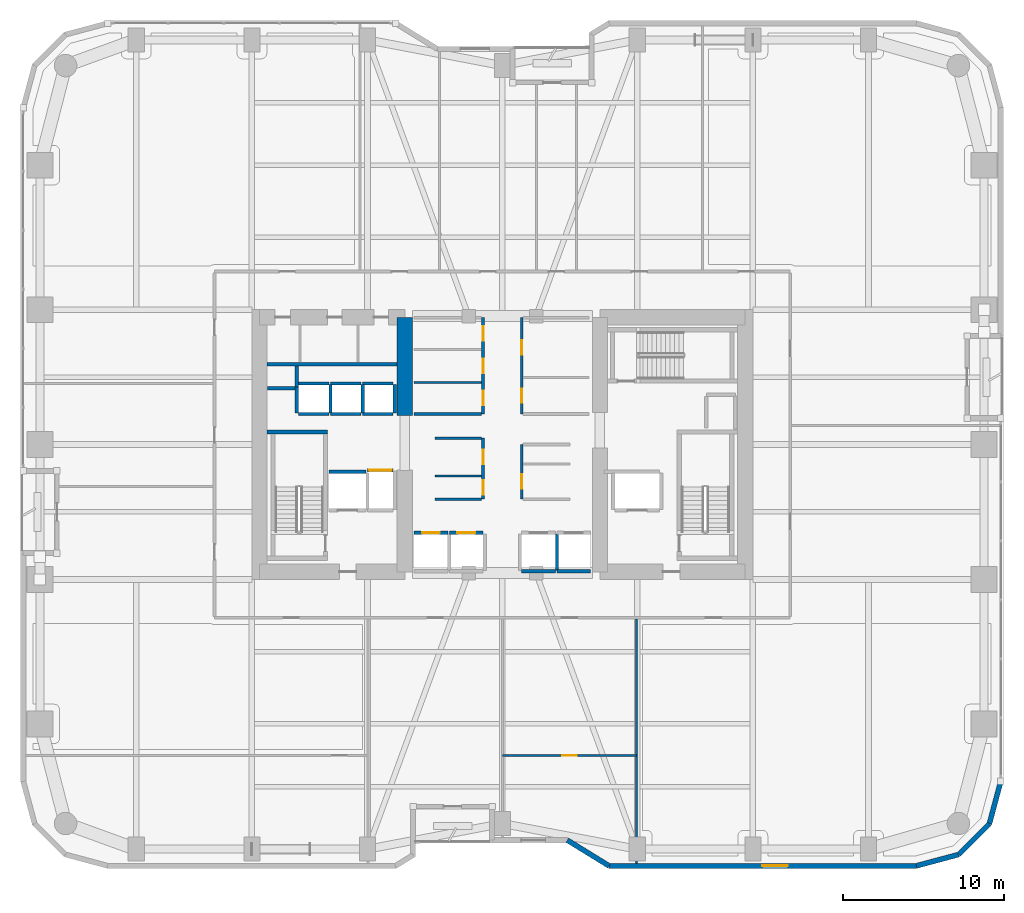
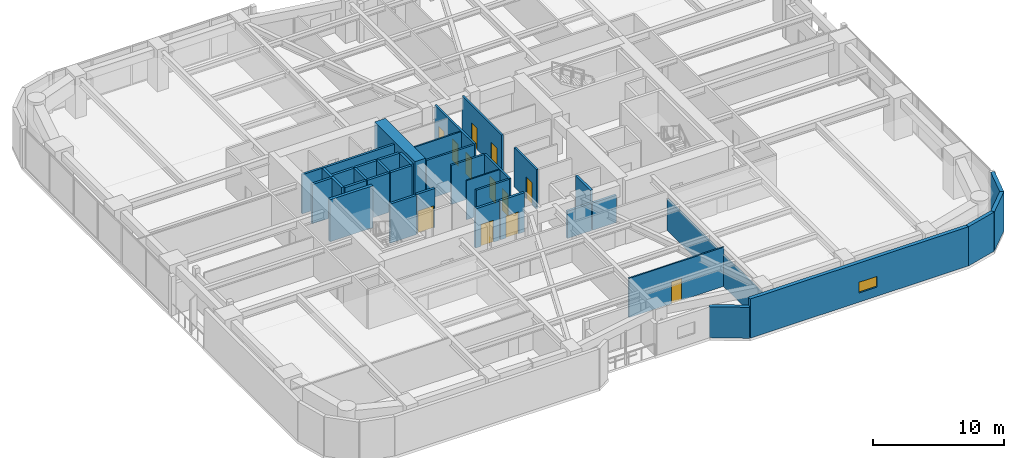
# One storey, part 23 of 28: 38 walls, 12 doors, 1 window, 13 openings.
"""IFC4 building model written with IfcOpenShell, lengths in metres."""

from ifc_helpers import new_model, si_unit, direction, frame, frame_2d, origin, place, context, subcontext, project, spatial, rectangle, extrude, material, layer, layer_set, type_object, element, fill, save


model = new_model("IFC4")

# Units and contexts
model_context = context("Model", 3, precision=1e-05, world=origin(), true_north=direction((0.0, 1.0)))
body_context = subcontext(model_context, "Body", "Model", "MODEL_VIEW")
ifc_project = project(units=[si_unit("LENGTHUNIT", "METRE"), si_unit("AREAUNIT", "SQUARE_METRE"), si_unit("VOLUMEUNIT", "CUBIC_METRE"), si_unit("PLANEANGLEUNIT", "RADIAN"), si_unit("MASSUNIT", "GRAM", prefix="KILO")], contexts=[model_context])

# Site, building, storey
site_placement = place(None, origin())
site = spatial("IfcSite", under=ifc_project, at=site_placement, CompositionType="ELEMENT")
building_placement = place(site_placement, origin())
building = spatial("IfcBuilding", under=site, at=building_placement, Name="Kiyonajd Concourse Tower", CompositionType="ELEMENT")
storey_placement = place(building_placement, frame((0.0, 0.0, 41.10009765625)))
storey = spatial("IfcBuildingStorey", under=building, at=storey_placement, Name="L11", CompositionType="ELEMENT", Elevation=41.10009765625)

# Walls
ifc_material_1 = material(Name="Concrete C80/95", Category="concrete")
ifc_layer_1 = layer(ifc_material_1, 0.949951171875)
ifc_layer_set_1 = layer_set([ifc_layer_1], Name="Concrete C80/95")
wall_type_1 = type_object("IfcWallType", Name="WL-CORE-950", PredefinedType="SHEAR", material=ifc_layer_set_1)
wall_1_placement = place(storey_placement, frame((41.925048828125, 37.800048828125, 0.0), z_axis=(0.0, 0.0, 1.0), x_axis=(0.0, 1.0, 0.0)))
element("IfcWall", 1, at=wall_1_placement, inside=storey, type_object=wall_type_1, Name="L11 West Core Inner North Shear Wall", PredefinedType="SHEAR", context=body_context, shape_type="SweptSolid", body=[
    extrude(rectangle(XDim=6.125, YDim=0.949951171875, at=frame_2d((3.0625, 0.0))), origin(), (0.0, 0.0, 1.0), 3.89990234375),
])
ifc_material_2 = material(Name="Precast concrete C50/60", Category="concrete")
ifc_layer_2 = layer(ifc_material_2, 0.320068359375)
ifc_layer_set_2 = layer_set([ifc_layer_2], Name="Precast concrete C50/60")
wall_type_2 = type_object("IfcWallType", Name="WL-EXT-320", PredefinedType="SOLIDWALL", material=ifc_layer_set_2)
wall_2_placement = place(storey_placement, frame((79.0400390625, 15.02099609375, 0.0), z_axis=(0.0, 0.0, 1.0), x_axis=(-0.25869736047, -0.965958423373, 0.0)))
element("IfcWall", 2, at=wall_2_placement, inside=storey, type_object=wall_type_2, Name="L11 Exterior Concrete Frame Wall 25", PredefinedType="SOLIDWALL", context=body_context, shape_type="SweptSolid", body=[
    extrude(rectangle(XDim=2.731201171875, YDim=0.320068359375, at=frame_2d((1.36572265625, 0.0))), origin(), (0.0, 0.0, 1.0), 3.639892578125),
])
wall_3_placement = place(storey_placement, frame((78.33349609375, 12.3828125, 0.0), z_axis=(0.0, 0.0, 1.0), x_axis=(-0.707106781187, -0.707106781187, 0.0)))
element("IfcWall", 3, at=wall_3_placement, inside=storey, type_object=wall_type_2, Name="L11 Exterior Concrete Frame Wall 26", PredefinedType="SOLIDWALL", context=body_context, shape_type="SweptSolid", body=[
    extrude(rectangle(XDim=2.7099609375, YDim=0.320068359375, at=frame_2d((1.35498046875, 0.0))), origin(), (0.0, 0.0, 1.0), 3.639892578125),
])
wall_4_placement = place(storey_placement, frame((76.417236328125, 10.466552734375, 0.0), z_axis=(0.0, 0.0, 1.0), x_axis=(-0.965964405026, -0.25867502435, 0.0)))
element("IfcWall", 4, at=wall_4_placement, inside=storey, type_object=wall_type_2, Name="L11 Exterior Concrete Frame Wall 27", PredefinedType="SOLIDWALL", context=body_context, shape_type="SweptSolid", body=[
    extrude(rectangle(XDim=2.7314453125, YDim=0.320068359375, at=frame_2d((1.36572265625, 0.0))), origin(), (0.0, 0.0, 1.0), 3.639892578125),
])

# Wall, opening, window
wall_5_placement = place(storey_placement, frame((73.77880859375, 9.760009765625, 0.0), z_axis=(0.0, 0.0, 1.0), x_axis=(-1.0, 0.0, 0.0)))
wall_5 = element("IfcWall", 5, at=wall_5_placement, inside=storey, type_object=wall_type_2, Name="L11 Exterior Concrete Frame Wall 28", PredefinedType="SOLIDWALL", context=body_context, shape_type="SweptSolid", body=[
    extrude(rectangle(XDim=19.133544921875, YDim=0.320068359375, at=frame_2d((9.56689453125, 0.0))), origin(), (0.0, 0.0, 1.0), 3.639892578125),
])
opening_1_placement = place(wall_5_placement, frame((8.00390625, 0.0, 0.85009765625)))
opening_1 = element("IfcOpeningElement", 6, at=opening_1_placement, cuts=wall_5, Name="Opening WN6", PredefinedType="OPENING", context=body_context, shape_type="SweptSolid", body=[
    extrude(rectangle(XDim=1.60009765625, YDim=1.0, at=frame_2d((0.800048828125, 0.5))), frame((0.0, 0.169921875, 0.0), z_axis=(0.0, -1.0, 0.0), x_axis=(1.0, 0.0, 0.0)), (0.0, 0.0, 1.0), 0.340087890625),
])
ifc_material_3 = material(Name="Double Low-E Insulated Glass", Category="glass")
window_type = type_object("IfcWindowType", Name="WN-VIS-1600x1000", PartitioningType="SINGLE_PANEL", PredefinedType="WINDOW", material=ifc_material_3)
window_placement = place(opening_1_placement, origin())
window = element("IfcWindow", 7, at=window_placement, inside=storey, type_object=window_type, Name="L11 Modular Facade Vision Window 28", OverallHeight=1.0, OverallWidth=1.60009765625, PartitioningType="SINGLE_PANEL", PredefinedType="WINDOW", context=body_context, shape_type="SweptSolid", body=[
    extrude(rectangle(XDim=1.60009765625, YDim=1.0, at=frame_2d((0.800048828125, 0.5))), frame((0.0, 0.030029296875, 0.0), z_axis=(0.0, -1.0, 0.0), x_axis=(1.0, 0.0, 0.0)), (0.0, 0.0, 1.0), 0.06005859375),
])
fill(opening_1, window)

# Walls
wall_6_placement = place(storey_placement, frame((54.645263671875, 9.760009765625, 0.0), z_axis=(0.0, 0.0, 1.0), x_axis=(-0.851630857047, 0.524142044989, 0.0)))
element("IfcWall", 8, at=wall_6_placement, inside=storey, type_object=wall_type_2, Name="L11 Exterior Concrete Frame Wall 29", PredefinedType="SOLIDWALL", context=body_context, shape_type="SweptSolid", body=[
    extrude(rectangle(XDim=3.052734375, YDim=0.320068359375, at=frame_2d((1.5263671875, 0.0))), origin(), (0.0, 0.0, 1.0), 2.875),
])
ifc_material_4 = material(Name="Gypsum Board on Cold-Formed Steel Stud", Category="steel")
ifc_layer_3 = layer(ifc_material_4, 0.125)
ifc_layer_set_3 = layer_set([ifc_layer_3], Name="Gypsum Board on Cold-Formed Steel Stud")
wall_type_3 = type_object("IfcWallType", Name="WL-PART-125", PredefinedType="PARTITIONING", material=ifc_layer_set_3)
wall_7_placement = place(storey_placement, frame((43.800048828125, 34.0439453125, 0.0), z_axis=(0.0, 0.0, 1.0), x_axis=(1.0, 0.0, 0.0)))
element("IfcWall", 9, at=wall_7_placement, inside=storey, type_object=wall_type_3, Name="L11 Interior Partition Wall", PredefinedType="PARTITIONING", context=body_context, shape_type="SweptSolid", body=[
    extrude(rectangle(XDim=2.912841796875, YDim=0.125, at=frame_2d((1.45654296875, 0.0))), origin(), (0.0, 0.0, 1.0), 3.639892578125),
])
wall_8_placement = place(storey_placement, frame((42.5, 39.8798828125, 0.0), z_axis=(0.0, 0.0, 1.0), x_axis=(1.0, 0.0, 0.0)))
element("IfcWall", 10, at=wall_8_placement, inside=storey, type_object=wall_type_3, Name="L11 Interior Partition Wall", PredefinedType="PARTITIONING", context=body_context, shape_type="SweptSolid", body=[
    extrude(rectangle(XDim=4.212890625, YDim=0.125, at=frame_2d((2.1064453125, 0.0))), origin(), (0.0, 0.0, 1.0), 3.639892578125),
])

# Wall, opening, door
wall_9_placement = place(storey_placement, frame((48.0, 16.6298828125, 0.0), z_axis=(0.0, 0.0, 1.0), x_axis=(1.0, 0.0, 0.0)))
wall_9 = element("IfcWall", 11, at=wall_9_placement, inside=storey, type_object=wall_type_3, Name="L11 Interior Partition Wall", PredefinedType="PARTITIONING", context=body_context, shape_type="SweptSolid", body=[
    extrude(rectangle(XDim=8.360107421875, YDim=0.125, at=frame_2d((4.18017578125, 0.0))), origin(), (0.0, 0.0, 1.0), 3.639892578125),
])
opening_2_placement = place(wall_9_placement, frame((3.72998046875, 0.0, 0.0)))
opening_2 = element("IfcOpeningElement", 12, at=opening_2_placement, cuts=wall_9, Name="Opening DI2", PredefinedType="OPENING", context=body_context, shape_type="SweptSolid", body=[
    extrude(rectangle(XDim=0.89990234375, YDim=2.02001953125, at=frame_2d((0.449951171875, 1.010009765625))), frame((0.0, 0.072509765625, 0.0), z_axis=(0.0, -1.0, 0.0), x_axis=(1.0, 0.0, 0.0)), (0.0, 0.0, 1.0), 0.14501953125),
])
ifc_material_5 = material(Name="Natural Oak Acoustic Timber Veneer", Category="wood")
door_type_1 = type_object("IfcDoorType", Name="DR-INT-900", OperationType="NOTDEFINED", PredefinedType="DOOR", material=ifc_material_5)
door_1_placement = place(opening_2_placement, origin())
door_1 = element("IfcDoor", 13, at=door_1_placement, inside=storey, type_object=door_type_1, Name="L11 Interior Door", OperationType="SINGLE_SWING_RIGHT", OverallHeight=2.02001953125, OverallWidth=0.89990234375, PredefinedType="DOOR", context=body_context, shape_type="SweptSolid", body=[
    extrude(rectangle(XDim=0.89990234375, YDim=2.02001953125, at=frame_2d((0.449951171875, 1.010009765625))), frame((0.0, 0.02490234375, 0.0), z_axis=(0.0, -1.0, 0.0), x_axis=(1.0, 0.0, 0.0)), (0.0, 0.0, 1.0), 0.050048828125),
])
fill(opening_2, door_1)

# Walls
wall_10_placement = place(storey_placement, frame((56.360107421875, 9.9150390625, 0.0), z_axis=(0.0, 0.0, 1.0), x_axis=(0.0, 1.0, 0.0)))
element("IfcWall", 14, at=wall_10_placement, inside=storey, type_object=wall_type_3, Name="L11 Interior Partition Wall", PredefinedType="PARTITIONING", context=body_context, shape_type="SweptSolid", body=[
    extrude(rectangle(XDim=15.218017578125, YDim=0.125, at=frame_2d((7.60888671875, 0.0))), origin(), (0.0, 0.0, 1.0), 2.929931640625),
])
ifc_layer_4 = layer(ifc_material_4, 0.18994140625)
ifc_layer_set_4 = layer_set([ifc_layer_4], Name="Gypsum Board on Cold-Formed Steel Stud")
wall_type_4 = type_object("IfcWallType", Name="WL-PLMB-190", PredefinedType="PLUMBINGWALL", material=ifc_layer_set_4)
wall_11_placement = place(storey_placement, frame((33.35009765625, 41.0, 0.0), z_axis=(0.0, 0.0, 1.0), x_axis=(1.0, 0.0, 0.0)))
element("IfcWall", 15, at=wall_11_placement, inside=storey, type_object=wall_type_4, Name="L11 Interior Partition Wall", PredefinedType="PLUMBINGWALL", context=body_context, shape_type="SweptSolid", body=[
    extrude(rectangle(XDim=8.099853515625, YDim=0.18994140625, at=frame_2d((4.0498046875, 0.0))), origin(), (0.0, 0.0, 1.0), 3.639892578125),
])
ifc_layer_5 = layer(ifc_material_4, 0.2099609375)
ifc_layer_set_5 = layer_set([ifc_layer_5], Name="Gypsum Board on Cold-Formed Steel Stud")
wall_type_5 = type_object("IfcWallType", Name="WL-SHAFT-210", PredefinedType="PARTITIONING", material=ifc_layer_set_5)
wall_12_placement = place(storey_placement, frame((33.360107421875, 39.5, 0.0), z_axis=(0.0, 0.0, 1.0), x_axis=(1.0, 0.0, 0.0)))
element("IfcWall", 16, at=wall_12_placement, inside=storey, type_object=wall_type_5, Name="L11 Shaft Enclosure Wall", PredefinedType="PARTITIONING", context=body_context, shape_type="SweptSolid", body=[
    extrude(rectangle(XDim=1.85986328125, YDim=0.2099609375, at=frame_2d((0.929931640625, 0.0))), origin(), (0.0, 0.0, 1.0), 3.639892578125),
])
wall_13_placement = place(storey_placement, frame((35.199951171875, 39.580078125, 0.0), z_axis=(0.0, 0.0, 1.0), x_axis=(0.0, 1.0, 0.0)))
element("IfcWall", 17, at=wall_13_placement, inside=storey, type_object=wall_type_5, Name="L11 Shaft Enclosure Wall", PredefinedType="PARTITIONING", context=body_context, shape_type="SweptSolid", body=[
    extrude(rectangle(XDim=1.31982421875, YDim=0.2099609375, at=frame_2d((0.659912109375, 0.0))), origin(), (0.0, 0.0, 1.0), 3.639892578125),
])
wall_14_placement = place(storey_placement, frame((37.199951171875, 34.300048828125, 0.0), z_axis=(0.0, 0.0, 1.0), x_axis=(1.0, 0.0, 0.0)))
element("IfcWall", 18, at=wall_14_placement, inside=storey, type_object=wall_type_5, Name="L11 Shaft Enclosure Wall", PredefinedType="PARTITIONING", context=body_context, shape_type="SweptSolid", body=[
    extrude(rectangle(XDim=2.300048828125, YDim=0.2099609375, at=frame_2d((1.14990234375, 0.0))), origin(), (0.0, 0.0, 1.0), 3.639892578125),
])

# Wall, opening, door
wall_15_placement = place(storey_placement, frame((39.60009765625, 34.39990234375, 0.0), z_axis=(0.0, 0.0, 1.0), x_axis=(1.0, 0.0, 0.0)))
wall_15 = element("IfcWall", 19, at=wall_15_placement, inside=storey, type_object=wall_type_5, Name="L11 Shaft Enclosure Wall", PredefinedType="PARTITIONING", context=body_context, shape_type="SweptSolid", body=[
    extrude(rectangle(XDim=1.599853515625, YDim=0.2099609375, at=frame_2d((0.7998046875, 0.0))), origin(), (0.0, 0.0, 1.0), 3.639892578125),
])
opening_3_placement = place(wall_15_placement, frame((0.10009765625, 0.0, 0.0)))
opening_3 = element("IfcOpeningElement", 20, at=opening_3_placement, cuts=wall_15, Name="Opening LD3", PredefinedType="OPENING", context=body_context, shape_type="SweptSolid", body=[
    extrude(rectangle(XDim=1.39990234375, YDim=2.06005859375, at=frame_2d((0.699951171875, 1.030029296875))), frame((0.0, 0.114990234375, 0.0), z_axis=(0.0, -1.0, 0.0), x_axis=(1.0, 0.0, 0.0)), (0.0, 0.0, 1.0), 0.22998046875),
])
ifc_material_6 = material(Name="Brushed Stainless Steel Cab Assembly", Category="steel")
door_type_2 = type_object("IfcDoorType", Name="DR-LD-1400", OperationType="DOUBLE_DOOR_SLIDING", PredefinedType="DOOR", material=ifc_material_6)
door_2_placement = place(opening_3_placement, origin())
door_2 = element("IfcDoor", 21, at=door_2_placement, inside=storey, type_object=door_type_2, Name="L11 Lift SVL1 Sliding Landing Door", OperationType="DOUBLE_DOOR_SLIDING", OverallHeight=2.06005859375, OverallWidth=1.39990234375, PredefinedType="DOOR", context=body_context, shape_type="SweptSolid", body=[
    extrude(rectangle(XDim=1.39990234375, YDim=2.06005859375, at=frame_2d((0.699951171875, 1.030029296875))), frame((0.0, 0.02490234375, 0.0), z_axis=(0.0, -1.0, 0.0), x_axis=(1.0, 0.0, 0.0)), (0.0, 0.0, 1.0), 0.050048828125),
])
fill(opening_3, door_2)

wall_16_placement = place(storey_placement, frame((42.5, 30.5, 0.0), z_axis=(0.0, 0.0, 1.0), x_axis=(1.0, 0.0, 0.0)))
wall_16 = element("IfcWall", 22, at=wall_16_placement, inside=storey, type_object=wall_type_5, Name="L11 Shaft Enclosure Wall", PredefinedType="PARTITIONING", context=body_context, shape_type="SweptSolid", body=[
    extrude(rectangle(XDim=2.10009765625, YDim=0.2099609375, at=frame_2d((1.050048828125, 0.0))), origin(), (0.0, 0.0, 1.0), 3.639892578125),
])
opening_4_placement = place(wall_16_placement, frame((0.5, 0.0, 0.0)))
opening_4 = element("IfcOpeningElement", 23, at=opening_4_placement, cuts=wall_16, Name="Opening LD1", PredefinedType="OPENING", context=body_context, shape_type="SweptSolid", body=[
    extrude(rectangle(XDim=1.10009765625, YDim=2.0400390625, at=frame_2d((0.550048828125, 1.02001953125))), frame((0.0, 0.114990234375, 0.0), z_axis=(0.0, -1.0, 0.0), x_axis=(1.0, 0.0, 0.0)), (0.0, 0.0, 1.0), 0.22998046875),
])
door_type_3 = type_object("IfcDoorType", Name="DR-LD-1100", OperationType="DOUBLE_DOOR_SLIDING", PredefinedType="DOOR", material=ifc_material_6)
door_3_placement = place(opening_4_placement, origin())
door_3 = element("IfcDoor", 24, at=door_3_placement, inside=storey, type_object=door_type_3, Name="L11 Lift PL-L1 Sliding Landing Door", OperationType="DOUBLE_DOOR_SLIDING", OverallHeight=2.0400390625, OverallWidth=1.10009765625, PredefinedType="DOOR", context=body_context, shape_type="SweptSolid", body=[
    extrude(rectangle(XDim=1.10009765625, YDim=2.0400390625, at=frame_2d((0.550048828125, 1.02001953125))), frame((0.0, 0.02490234375, 0.0), z_axis=(0.0, -1.0, 0.0), x_axis=(1.0, 0.0, 0.0)), (0.0, 0.0, 1.0), 0.050048828125),
])
fill(opening_4, door_3)

wall_17_placement = place(storey_placement, frame((44.699951171875, 30.5, 0.0), z_axis=(0.0, 0.0, 1.0), x_axis=(1.0, 0.0, 0.0)))
wall_17 = element("IfcWall", 25, at=wall_17_placement, inside=storey, type_object=wall_type_5, Name="L11 Shaft Enclosure Wall", PredefinedType="PARTITIONING", context=body_context, shape_type="SweptSolid", body=[
    extrude(rectangle(XDim=2.10009765625, YDim=0.2099609375, at=frame_2d((1.050048828125, 0.0))), origin(), (0.0, 0.0, 1.0), 3.639892578125),
])
opening_5_placement = place(wall_17_placement, frame((0.5, 0.0, 0.0)))
opening_5 = element("IfcOpeningElement", 26, at=opening_5_placement, cuts=wall_17, Name="Opening LD1", PredefinedType="OPENING", context=body_context, shape_type="SweptSolid", body=[
    extrude(rectangle(XDim=1.10009765625, YDim=2.0400390625, at=frame_2d((0.550048828125, 1.02001953125))), frame((0.0, 0.114990234375, 0.0), z_axis=(0.0, -1.0, 0.0), x_axis=(1.0, 0.0, 0.0)), (0.0, 0.0, 1.0), 0.22998046875),
])
door_4_placement = place(opening_5_placement, origin())
door_4 = element("IfcDoor", 27, at=door_4_placement, inside=storey, type_object=door_type_3, Name="L11 Lift PL-L2 Sliding Landing Door", OperationType="DOUBLE_DOOR_SLIDING", OverallHeight=2.0400390625, OverallWidth=1.10009765625, PredefinedType="DOOR", context=body_context, shape_type="SweptSolid", body=[
    extrude(rectangle(XDim=1.10009765625, YDim=2.0400390625, at=frame_2d((0.550048828125, 1.02001953125))), frame((0.0, 0.02490234375, 0.0), z_axis=(0.0, -1.0, 0.0), x_axis=(1.0, 0.0, 0.0)), (0.0, 0.0, 1.0), 0.050048828125),
])
fill(opening_5, door_4)

# Walls
wall_18_placement = place(storey_placement, frame((49.199951171875, 28.10009765625, 0.0), z_axis=(0.0, 0.0, 1.0), x_axis=(1.0, 0.0, 0.0)))
element("IfcWall", 28, at=wall_18_placement, inside=storey, type_object=wall_type_5, Name="L11 Shaft Enclosure Wall", PredefinedType="PARTITIONING", context=body_context, shape_type="SweptSolid", body=[
    extrude(rectangle(XDim=2.10009765625, YDim=0.2099609375, at=frame_2d((1.050048828125, 0.0))), origin(), (0.0, 0.0, 1.0), 2.52490234375),
])
wall_19_placement = place(storey_placement, frame((51.39990234375, 28.159912109375, 0.0), z_axis=(0.0, 0.0, 1.0), x_axis=(0.0, 1.0, 0.0)))
element("IfcWall", 29, at=wall_19_placement, inside=storey, type_object=wall_type_5, Name="L11 Shaft Enclosure Wall", PredefinedType="PARTITIONING", context=body_context, shape_type="SweptSolid", body=[
    extrude(rectangle(XDim=2.280029296875, YDim=0.2099609375, at=frame_2d((1.14013671875, 0.0))), origin(), (0.0, 0.0, 1.0), 3.639892578125),
])
wall_20_placement = place(storey_placement, frame((51.39990234375, 28.10009765625, 0.0), z_axis=(0.0, 0.0, 1.0), x_axis=(1.0, 0.0, 0.0)))
element("IfcWall", 30, at=wall_20_placement, inside=storey, type_object=wall_type_5, Name="L11 Shaft Enclosure Wall", PredefinedType="PARTITIONING", context=body_context, shape_type="SweptSolid", body=[
    extrude(rectangle(XDim=2.10009765625, YDim=0.2099609375, at=frame_2d((1.050048828125, 0.0))), origin(), (0.0, 0.0, 1.0), 2.52490234375),
])
for number, where, z_axis, x_axis, name in (
    (31, (35.300048828125, 37.89990234375, 0.0), (0.0, 0.0, 1.0), (1.0, 0.0, 0.0), "L11 Shaft Enclosure Wall"),
    (32, (35.300048828125, 39.800048828125, 0.0), (0.0, 0.0, 1.0), (1.0, 0.0, 0.0), "L11 Shaft Enclosure Wall"),
):
    element("IfcWall", number, at=place(storey_placement, frame(where, z_axis=z_axis, x_axis=x_axis)), inside=storey, type_object=wall_type_5, Name=name, PredefinedType="PARTITIONING", context=body_context, shape_type="SweptSolid", body=[
        extrude(rectangle(XDim=1.89990234375, YDim=0.2099609375, at=frame_2d((0.949951171875, 0.0))), origin(), (0.0, 0.0, 1.0), 3.639892578125),
    ])
wall_21_placement = place(storey_placement, frame((35.199951171875, 37.9599609375, 0.0), z_axis=(0.0, 0.0, 1.0), x_axis=(0.0, 1.0, 0.0)))
element("IfcWall", 33, at=wall_21_placement, inside=storey, type_object=wall_type_5, Name="L11 Shaft Enclosure Wall", PredefinedType="PARTITIONING", context=body_context, shape_type="SweptSolid", body=[
    extrude(rectangle(XDim=1.6201171875, YDim=0.2099609375, at=frame_2d((0.81005859375, 0.0))), origin(), (0.0, 0.0, 1.0), 3.639892578125),
])
wall_22_placement = place(storey_placement, frame((37.300048828125, 37.9599609375, 0.0), z_axis=(0.0, 0.0, 1.0), x_axis=(0.0, 1.0, 0.0)))
element("IfcWall", 34, at=wall_22_placement, inside=storey, type_object=wall_type_5, Name="L11 Shaft Enclosure Wall", PredefinedType="PARTITIONING", context=body_context, shape_type="SweptSolid", body=[
    extrude(rectangle(XDim=1.780029296875, YDim=0.2099609375, at=frame_2d((0.89013671875, 0.0))), origin(), (0.0, 0.0, 1.0), 3.639892578125),
])
for number, where, z_axis, x_axis, name in (
    (35, (37.300048828125, 37.89990234375, 0.0), (0.0, 0.0, 1.0), (1.0, 0.0, 0.0), "L11 Shaft Enclosure Wall"),
    (36, (37.300048828125, 39.800048828125, 0.0), (0.0, 0.0, 1.0), (1.0, 0.0, 0.0), "L11 Shaft Enclosure Wall"),
):
    element("IfcWall", number, at=place(storey_placement, frame(where, z_axis=z_axis, x_axis=x_axis)), inside=storey, type_object=wall_type_5, Name=name, PredefinedType="PARTITIONING", context=body_context, shape_type="SweptSolid", body=[
        extrude(rectangle(XDim=1.89990234375, YDim=0.2099609375, at=frame_2d((0.949951171875, 0.0))), origin(), (0.0, 0.0, 1.0), 3.639892578125),
    ])
wall_23_placement = place(storey_placement, frame((39.300048828125, 37.9599609375, 0.0), z_axis=(0.0, 0.0, 1.0), x_axis=(0.0, 1.0, 0.0)))
element("IfcWall", 37, at=wall_23_placement, inside=storey, type_object=wall_type_5, Name="L11 Shaft Enclosure Wall", PredefinedType="PARTITIONING", context=body_context, shape_type="SweptSolid", body=[
    extrude(rectangle(XDim=1.780029296875, YDim=0.2099609375, at=frame_2d((0.89013671875, 0.0))), origin(), (0.0, 0.0, 1.0), 3.639892578125),
])
for number, where, z_axis, x_axis, name in (
    (38, (39.300048828125, 37.89990234375, 0.0), (0.0, 0.0, 1.0), (1.0, 0.0, 0.0), "L11 Shaft Enclosure Wall"),
    (39, (39.300048828125, 39.800048828125, 0.0), (0.0, 0.0, 1.0), (1.0, 0.0, 0.0), "L11 Shaft Enclosure Wall"),
):
    element("IfcWall", number, at=place(storey_placement, frame(where, z_axis=z_axis, x_axis=x_axis)), inside=storey, type_object=wall_type_5, Name=name, PredefinedType="PARTITIONING", context=body_context, shape_type="SweptSolid", body=[
        extrude(rectangle(XDim=1.89990234375, YDim=0.2099609375, at=frame_2d((0.949951171875, 0.0))), origin(), (0.0, 0.0, 1.0), 3.639892578125),
    ])
wall_24_placement = place(storey_placement, frame((41.300048828125, 37.9599609375, 0.0), z_axis=(0.0, 0.0, 1.0), x_axis=(0.0, 1.0, 0.0)))
element("IfcWall", 40, at=wall_24_placement, inside=storey, type_object=wall_type_5, Name="L11 Shaft Enclosure Wall", PredefinedType="PARTITIONING", context=body_context, shape_type="SweptSolid", body=[
    extrude(rectangle(XDim=1.780029296875, YDim=0.2099609375, at=frame_2d((0.89013671875, 0.0))), origin(), (0.0, 0.0, 1.0), 3.639892578125),
])

# Wall, openings, doors
ifc_layer_6 = layer(ifc_material_4, 0.169921875)
ifc_layer_set_6 = layer_set([ifc_layer_6], Name="Gypsum Board on Cold-Formed Steel Stud")
wall_type_6 = type_object("IfcWallType", Name="WL-SMK-170", PredefinedType="PARTITIONING", material=ifc_layer_set_6)
wall_25_placement = place(storey_placement, frame((46.800048828125, 32.60009765625, 0.0), z_axis=(0.0, 0.0, 1.0), x_axis=(0.0, 1.0, 0.0)))
wall_25 = element("IfcWall", 41, at=wall_25_placement, inside=storey, type_object=wall_type_6, Name="L11 Interior Partition Wall", PredefinedType="PARTITIONING", context=body_context, shape_type="SweptSolid", body=[
    extrude(rectangle(XDim=3.7998046875, YDim=0.169921875, at=frame_2d((1.89990234375, 0.0))), origin(), (0.0, 0.0, 1.0), 3.639892578125),
])
opening_6_placement = place(wall_25_placement, frame((0.27197265625, 0.0, 0.0)))
opening_6 = element("IfcOpeningElement", 42, at=opening_6_placement, cuts=wall_25, Name="Opening DI2", PredefinedType="OPENING", context=body_context, shape_type="SweptSolid", body=[
    extrude(rectangle(XDim=0.89990234375, YDim=2.02001953125, at=frame_2d((0.449951171875, 1.010009765625))), frame((0.0, 0.094970703125, 0.0), z_axis=(0.0, -1.0, 0.0), x_axis=(1.0, 0.0, 0.0)), (0.0, 0.0, 1.0), 0.18994140625),
])
opening_7_placement = place(wall_25_placement, frame((2.172119140625, 0.0, 0.0)))
opening_7 = element("IfcOpeningElement", 43, at=opening_7_placement, cuts=wall_25, Name="Opening DI2", PredefinedType="OPENING", context=body_context, shape_type="SweptSolid", body=[
    extrude(rectangle(XDim=0.89990234375, YDim=2.02001953125, at=frame_2d((0.449951171875, 1.010009765625))), frame((0.0, 0.094970703125, 0.0), z_axis=(0.0, -1.0, 0.0), x_axis=(1.0, 0.0, 0.0)), (0.0, 0.0, 1.0), 0.18994140625),
])
door_5_placement = place(opening_6_placement, origin())
door_5 = element("IfcDoor", 44, at=door_5_placement, inside=storey, type_object=door_type_1, Name="L11 Interior Door", OperationType="SINGLE_SWING_LEFT", OverallHeight=2.02001953125, OverallWidth=0.89990234375, PredefinedType="DOOR", context=body_context, shape_type="SweptSolid", body=[
    extrude(rectangle(XDim=0.89990234375, YDim=2.02001953125, at=frame_2d((0.449951171875, 1.010009765625))), frame((0.0, 0.02490234375, 0.0), z_axis=(0.0, -1.0, 0.0), x_axis=(1.0, 0.0, 0.0)), (0.0, 0.0, 1.0), 0.050048828125),
])
fill(opening_6, door_5)
door_6_placement = place(opening_7_placement, origin())
door_6 = element("IfcDoor", 45, at=door_6_placement, inside=storey, type_object=door_type_1, Name="L11 Interior Door", OperationType="SINGLE_SWING_RIGHT", OverallHeight=2.02001953125, OverallWidth=0.89990234375, PredefinedType="DOOR", context=body_context, shape_type="SweptSolid", body=[
    extrude(rectangle(XDim=0.89990234375, YDim=2.02001953125, at=frame_2d((0.449951171875, 1.010009765625))), frame((0.0, 0.02490234375, 0.0), z_axis=(0.0, -1.0, 0.0), x_axis=(1.0, 0.0, 0.0)), (0.0, 0.0, 1.0), 0.050048828125),
])
fill(opening_7, door_6)

# Walls
for number, where, z_axis, x_axis, name in (
    (46, (43.800048828125, 32.60009765625, 0.0), (0.0, 0.0, 1.0), (1.0, 0.0, 0.0), "L11 Interior Partition Wall"),
    (47, (43.800048828125, 36.39990234375, 0.0), (0.0, 0.0, 1.0), (1.0, 0.0, 0.0), "L11 Interior Partition Wall"),
):
    element("IfcWall", number, at=place(storey_placement, frame(where, z_axis=z_axis, x_axis=x_axis)), inside=storey, type_object=wall_type_6, Name=name, PredefinedType="PARTITIONING", context=body_context, shape_type="SweptSolid", body=[
        extrude(rectangle(XDim=2.912841796875, YDim=0.169921875, at=frame_2d((1.45654296875, 0.0))), origin(), (0.0, 0.0, 1.0), 3.639892578125),
    ])

# Wall, opening, door
wall_26_placement = place(storey_placement, frame((49.199951171875, 32.60009765625, 0.0), z_axis=(0.0, 0.0, 1.0), x_axis=(0.0, 1.0, 0.0)))
wall_26 = element("IfcWall", 48, at=wall_26_placement, inside=storey, type_object=wall_type_6, Name="L11 Interior Partition Wall", PredefinedType="PARTITIONING", context=body_context, shape_type="SweptSolid", body=[
    extrude(rectangle(XDim=3.39990234375, YDim=0.169921875, at=frame_2d((1.699951171875, 0.0))), origin(), (0.0, 0.0, 1.0), 3.639892578125),
])
opening_8_placement = place(wall_26_placement, frame((0.637939453125, 0.0, 0.0)))
opening_8 = element("IfcOpeningElement", 49, at=opening_8_placement, cuts=wall_26, Name="Opening DF4", PredefinedType="OPENING", context=body_context, shape_type="SweptSolid", body=[
    extrude(rectangle(XDim=0.89990234375, YDim=2.02001953125, at=frame_2d((0.449951171875, 1.010009765625))), frame((0.0, 0.094970703125, 0.0), z_axis=(0.0, -1.0, 0.0), x_axis=(1.0, 0.0, 0.0)), (0.0, 0.0, 1.0), 0.18994140625),
])
door_type_4 = type_object("IfcDoorType", Name="DR-FD60-900", OperationType="NOTDEFINED", PredefinedType="DOOR", material=ifc_material_6)
door_7_placement = place(opening_8_placement, origin())
door_7 = element("IfcDoor", 50, at=door_7_placement, inside=storey, type_object=door_type_4, Name="L11 Interior Door", OperationType="SINGLE_SWING_LEFT", OverallHeight=2.02001953125, OverallWidth=0.89990234375, PredefinedType="DOOR", context=body_context, shape_type="SweptSolid", body=[
    extrude(rectangle(XDim=0.89990234375, YDim=2.02001953125, at=frame_2d((0.449951171875, 1.010009765625))), frame((0.0, 0.02490234375, 0.0), z_axis=(0.0, -1.0, 0.0), x_axis=(1.0, 0.0, 0.0)), (0.0, 0.0, 1.0), 0.050048828125),
])
fill(opening_8, door_7)

# Wall, openings, doors
wall_27_placement = place(storey_placement, frame((46.800048828125, 37.89990234375, 0.0), z_axis=(0.0, 0.0, 1.0), x_axis=(0.0, 1.0, 0.0)))
wall_27 = element("IfcWall", 51, at=wall_27_placement, inside=storey, type_object=wall_type_6, Name="L11 Interior Partition Wall", PredefinedType="PARTITIONING", context=body_context, shape_type="SweptSolid", body=[
    extrude(rectangle(XDim=6.0, YDim=0.169921875, at=frame_2d((3.0, 0.0))), origin(), (0.0, 0.0, 1.0), 3.639892578125),
])
opening_9_placement = place(wall_27_placement, frame((0.5400390625, 0.0, 0.0)))
opening_9 = element("IfcOpeningElement", 52, at=opening_9_placement, cuts=wall_27, Name="Opening DI2", PredefinedType="OPENING", context=body_context, shape_type="SweptSolid", body=[
    extrude(rectangle(XDim=0.89990234375, YDim=2.02001953125, at=frame_2d((0.449951171875, 1.010009765625))), frame((0.0, 0.094970703125, 0.0), z_axis=(0.0, -1.0, 0.0), x_axis=(1.0, 0.0, 0.0)), (0.0, 0.0, 1.0), 0.18994140625),
])
opening_10_placement = place(wall_27_placement, frame((2.550048828125, 0.0, 0.0)))
opening_10 = element("IfcOpeningElement", 53, at=opening_10_placement, cuts=wall_27, Name="Opening DI2", PredefinedType="OPENING", context=body_context, shape_type="SweptSolid", body=[
    extrude(rectangle(XDim=0.89990234375, YDim=2.02001953125, at=frame_2d((0.449951171875, 1.010009765625))), frame((0.0, 0.094970703125, 0.0), z_axis=(0.0, -1.0, 0.0), x_axis=(1.0, 0.0, 0.0)), (0.0, 0.0, 1.0), 0.18994140625),
])
opening_11_placement = place(wall_27_placement, frame((4.56005859375, 0.0, 0.0)))
opening_11 = element("IfcOpeningElement", 54, at=opening_11_placement, cuts=wall_27, Name="Opening DI2", PredefinedType="OPENING", context=body_context, shape_type="SweptSolid", body=[
    extrude(rectangle(XDim=0.89990234375, YDim=2.02001953125, at=frame_2d((0.449951171875, 1.010009765625))), frame((0.0, 0.094970703125, 0.0), z_axis=(0.0, -1.0, 0.0), x_axis=(1.0, 0.0, 0.0)), (0.0, 0.0, 1.0), 0.18994140625),
])
door_8_placement = place(opening_9_placement, origin())
door_8 = element("IfcDoor", 55, at=door_8_placement, inside=storey, type_object=door_type_1, Name="L11 Interior Door", OperationType="SINGLE_SWING_RIGHT", OverallHeight=2.02001953125, OverallWidth=0.89990234375, PredefinedType="DOOR", context=body_context, shape_type="SweptSolid", body=[
    extrude(rectangle(XDim=0.89990234375, YDim=2.02001953125, at=frame_2d((0.449951171875, 1.010009765625))), frame((0.0, 0.02490234375, 0.0), z_axis=(0.0, -1.0, 0.0), x_axis=(1.0, 0.0, 0.0)), (0.0, 0.0, 1.0), 0.050048828125),
])
fill(opening_9, door_8)
door_9_placement = place(opening_10_placement, origin())
door_9 = element("IfcDoor", 56, at=door_9_placement, inside=storey, type_object=door_type_1, Name="L11 Interior Door", OperationType="SINGLE_SWING_LEFT", OverallHeight=2.02001953125, OverallWidth=0.89990234375, PredefinedType="DOOR", context=body_context, shape_type="SweptSolid", body=[
    extrude(rectangle(XDim=0.89990234375, YDim=2.02001953125, at=frame_2d((0.449951171875, 1.010009765625))), frame((0.0, 0.02490234375, 0.0), z_axis=(0.0, -1.0, 0.0), x_axis=(1.0, 0.0, 0.0)), (0.0, 0.0, 1.0), 0.050048828125),
])
fill(opening_10, door_9)
door_10_placement = place(opening_11_placement, origin())
door_10 = element("IfcDoor", 57, at=door_10_placement, inside=storey, type_object=door_type_1, Name="L11 Interior Door", OperationType="SINGLE_SWING_RIGHT", OverallHeight=2.02001953125, OverallWidth=0.89990234375, PredefinedType="DOOR", context=body_context, shape_type="SweptSolid", body=[
    extrude(rectangle(XDim=0.89990234375, YDim=2.02001953125, at=frame_2d((0.449951171875, 1.010009765625))), frame((0.0, 0.02490234375, 0.0), z_axis=(0.0, -1.0, 0.0), x_axis=(1.0, 0.0, 0.0)), (0.0, 0.0, 1.0), 0.050048828125),
])
fill(opening_11, door_10)

# Wall
wall_28_placement = place(storey_placement, frame((42.5, 37.89990234375, 0.0), z_axis=(0.0, 0.0, 1.0), x_axis=(1.0, 0.0, 0.0)))
element("IfcWall", 58, at=wall_28_placement, inside=storey, type_object=wall_type_6, Name="L11 Interior Partition Wall", PredefinedType="PARTITIONING", context=body_context, shape_type="SweptSolid", body=[
    extrude(rectangle(XDim=4.212890625, YDim=0.169921875, at=frame_2d((2.1064453125, 0.0))), origin(), (0.0, 0.0, 1.0), 3.639892578125),
])

# Wall, openings, doors
wall_29_placement = place(storey_placement, frame((49.199951171875, 37.89990234375, 0.0), z_axis=(0.0, 0.0, 1.0), x_axis=(0.0, 1.0, 0.0)))
wall_29 = element("IfcWall", 59, at=wall_29_placement, inside=storey, type_object=wall_type_6, Name="L11 Interior Partition Wall", PredefinedType="PARTITIONING", context=body_context, shape_type="SweptSolid", body=[
    extrude(rectangle(XDim=6.0, YDim=0.169921875, at=frame_2d((3.0, 0.0))), origin(), (0.0, 0.0, 1.0), 3.639892578125),
])
opening_12_placement = place(wall_29_placement, frame((0.68994140625, 0.0, 0.0)))
opening_12 = element("IfcOpeningElement", 60, at=opening_12_placement, cuts=wall_29, Name="Opening DI2", PredefinedType="OPENING", context=body_context, shape_type="SweptSolid", body=[
    extrude(rectangle(XDim=0.89990234375, YDim=2.02001953125, at=frame_2d((0.449951171875, 1.010009765625))), frame((0.0, 0.094970703125, 0.0), z_axis=(0.0, -1.0, 0.0), x_axis=(1.0, 0.0, 0.0)), (0.0, 0.0, 1.0), 0.18994140625),
])
opening_13_placement = place(wall_29_placement, frame((3.68994140625, 0.0, 0.0)))
opening_13 = element("IfcOpeningElement", 61, at=opening_13_placement, cuts=wall_29, Name="Opening DI2", PredefinedType="OPENING", context=body_context, shape_type="SweptSolid", body=[
    extrude(rectangle(XDim=0.89990234375, YDim=2.02001953125, at=frame_2d((0.449951171875, 1.010009765625))), frame((0.0, 0.094970703125, 0.0), z_axis=(0.0, -1.0, 0.0), x_axis=(1.0, 0.0, 0.0)), (0.0, 0.0, 1.0), 0.18994140625),
])
door_11_placement = place(opening_12_placement, origin())
door_11 = element("IfcDoor", 62, at=door_11_placement, inside=storey, type_object=door_type_1, Name="L11 Interior Door", OperationType="SINGLE_SWING_LEFT", OverallHeight=2.02001953125, OverallWidth=0.89990234375, PredefinedType="DOOR", context=body_context, shape_type="SweptSolid", body=[
    extrude(rectangle(XDim=0.89990234375, YDim=2.02001953125, at=frame_2d((0.449951171875, 1.010009765625))), frame((0.0, 0.02490234375, 0.0), z_axis=(0.0, -1.0, 0.0), x_axis=(1.0, 0.0, 0.0)), (0.0, 0.0, 1.0), 0.050048828125),
])
fill(opening_12, door_11)
door_12_placement = place(opening_13_placement, origin())
door_12 = element("IfcDoor", 63, at=door_12_placement, inside=storey, type_object=door_type_1, Name="L11 Interior Door", OperationType="SINGLE_SWING_RIGHT", OverallHeight=2.02001953125, OverallWidth=0.89990234375, PredefinedType="DOOR", context=body_context, shape_type="SweptSolid", body=[
    extrude(rectangle(XDim=0.89990234375, YDim=2.02001953125, at=frame_2d((0.449951171875, 1.010009765625))), frame((0.0, 0.02490234375, 0.0), z_axis=(0.0, -1.0, 0.0), x_axis=(1.0, 0.0, 0.0)), (0.0, 0.0, 1.0), 0.050048828125),
])
fill(opening_13, door_12)

# Wall
ifc_material_7 = material(Name="Concrete C50/60", Category="concrete")
ifc_layer_7 = layer(ifc_material_7, 0.260009765625)
ifc_layer_set_7 = layer_set([ifc_layer_7], Name="Concrete C50/60")
wall_type_7 = type_object("IfcWallType", Name="WL-STAIR-260", PredefinedType="SHEAR", material=ifc_layer_set_7)
wall_30_placement = place(storey_placement, frame((33.35009765625, 36.780029296875, 0.0), z_axis=(0.0, 0.0, 1.0), x_axis=(1.0, 0.0, 0.0)))
element("IfcWall", 64, at=wall_30_placement, inside=storey, type_object=wall_type_7, Name="L11 Stair ST1 Structural North Wall", PredefinedType="SHEAR", context=body_context, shape_type="SweptSolid", body=[
    extrude(rectangle(XDim=3.760009765625, YDim=0.260009765625, at=frame_2d((1.8798828125, 0.0))), origin(), (0.0, 0.0, 1.0), 3.89990234375),
])

save(model, "model.ifc")
